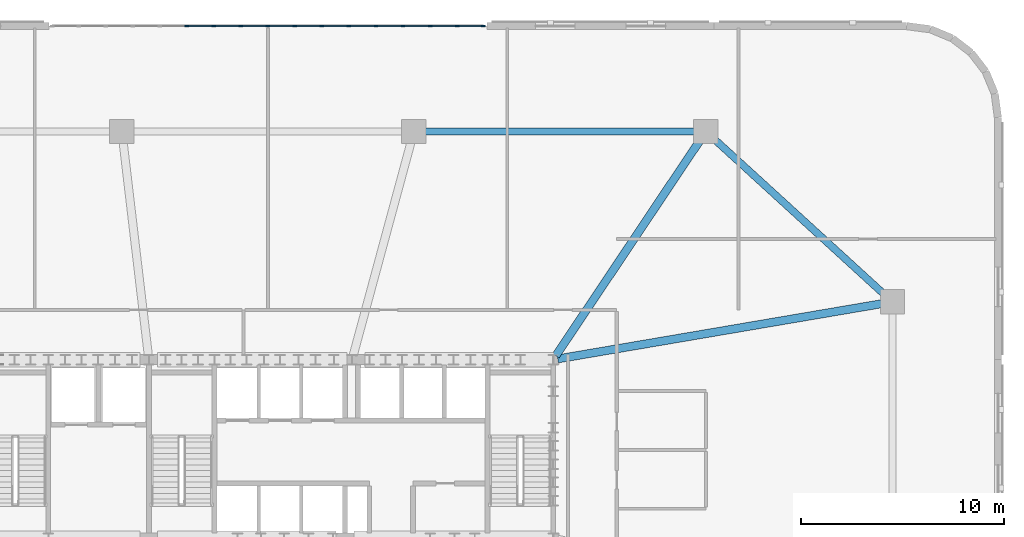
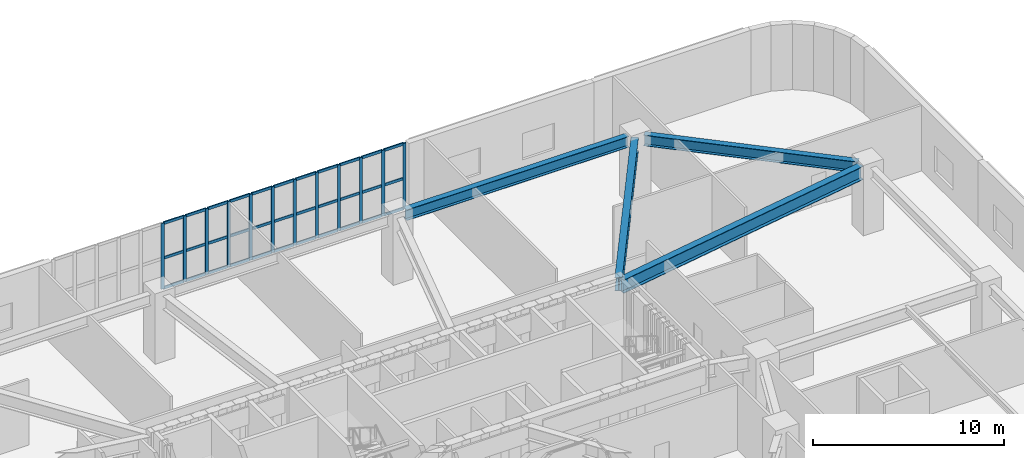
# One storey, part 10 of 25: 45 members, 4 beams, 1 element without a shape of its own.
"""IFC4 building model written with IfcOpenShell, lengths in metres."""

import ifcopenshell
import ifcopenshell.guid

model = None  # the IFC model being written
_history = None  # IfcOwnerHistory: only IFC2X3 demands one
_inside = {}  # id of a spatial element -> (the spatial element, [elements in it])
_under = {}  # id of a project, library or spatial element -> (it, [spatial elements below it])
_declared = {}  # id of a project -> (the project, [libraries it declares])
_typed = {}  # id of a type object -> (the type object, [elements of that type])
_made_of = {}  # id of a material, layer set ... -> (it, [elements and type objects made of it])


def new_model(schema):
    """Start an empty IFC model of exactly this schema.

    Asked for "IFC4X3", IfcOpenShell would pick the latest addendum, in which some entities
    have other attributes; the version numbers below select the first issue.
    IFC2X3 requires an IfcOwnerHistory on every rooted entity: one is made here for all.
    """
    global model, _history
    if schema == "IFC4X3":
        model = ifcopenshell.file(schema_version=(4, 3, 0, 0))
    else:
        model = ifcopenshell.file(schema=schema)
    _inside.clear()
    _under.clear()
    _declared.clear()
    _typed.clear()
    _made_of.clear()
    _history = None
    if model.schema == "IFC2X3":
        org = make("IfcOrganization", Name="unknown")
        user = make(
            "IfcPersonAndOrganization",
            ThePerson=make("IfcPerson", FamilyName="unknown"),
            TheOrganization=org,
        )
        app = make(
            "IfcApplication",
            ApplicationDeveloper=org,
            Version="unknown",
            ApplicationFullName="unknown",
            ApplicationIdentifier="unknown",
        )
        _history = make(
            "IfcOwnerHistory",
            OwningUser=user,
            OwningApplication=app,
            ChangeAction="ADDED",
            CreationDate=0,
        )
    return model


def make(cls, **values):
    """One entity of the class cls with the attributes given. An attribute that is None is left unset."""
    return model.create_entity(
        cls, **{name: value for name, value in values.items() if value is not None}
    )


def rooted(cls, **values):
    """An entity with a GlobalId (a new one), such as an element, a storey or a relation."""
    return make(cls, GlobalId=ifcopenshell.guid.new(), OwnerHistory=_history, **values)


def si_unit(unit_type, name, prefix=None):
    """IfcSIUnit, for example si_unit("LENGTHUNIT", "METRE", prefix="MILLI")."""
    return make("IfcSIUnit", UnitType=unit_type, Prefix=prefix, Name=name)


def assignment(units):
    """IfcUnitAssignment: the units of a project."""
    return None if units is None else make("IfcUnitAssignment", Units=units)


def point(xyz):
    """IfcCartesianPoint."""
    return None if xyz is None else make("IfcCartesianPoint", Coordinates=xyz)


def direction(xyz):
    """IfcDirection."""
    return None if xyz is None else make("IfcDirection", DirectionRatios=xyz)


def frame(location, z_axis=None, x_axis=None):
    """IfcAxis2Placement3D, a coordinate frame: its origin and axes. An axis left out is left unset."""
    return make(
        "IfcAxis2Placement3D",
        Location=point(location),
        Axis=direction(z_axis),
        RefDirection=direction(x_axis),
    )


def frame_2d(location, x_axis=None):
    """IfcAxis2Placement2D, a coordinate frame in the plane: its origin and x axis."""
    return make(
        "IfcAxis2Placement2D", Location=point(location), RefDirection=direction(x_axis)
    )


def origin():
    """The frame at (0, 0, 0) with its axes left unset."""
    return frame((0.0, 0.0, 0.0))


def origin_2d():
    """The frame at (0, 0) in the plane with its x axis left unset."""
    return frame_2d((0.0, 0.0))


def place(relative_to, where):
    """IfcLocalPlacement: puts the frame where relative to a parent placement (None: the world)."""
    return make(
        "IfcLocalPlacement", PlacementRelTo=relative_to, RelativePlacement=where
    )


def context(
    kind, dimensions, precision=None, world=None, true_north=None, identifier=None
):
    """IfcGeometricRepresentationContext, for example the 3D "Model" context."""
    return make(
        "IfcGeometricRepresentationContext",
        ContextIdentifier=identifier,
        ContextType=kind,
        CoordinateSpaceDimension=dimensions,
        Precision=precision,
        WorldCoordinateSystem=world,
        TrueNorth=true_north,
    )


def subcontext(parent, identifier, kind, view, scale=None):
    """IfcGeometricRepresentationSubContext, for example "Body" below "Model"."""
    return make(
        "IfcGeometricRepresentationSubContext",
        ContextIdentifier=identifier,
        ContextType=kind,
        ParentContext=parent,
        TargetScale=scale,
        TargetView=view,
    )


def project(units=None, contexts=None):
    """IfcProject with its units and contexts."""
    return rooted(
        "IfcProject",
        Name="project",
        RepresentationContexts=contexts,
        UnitsInContext=assignment(units),
    )


def spatial(cls, under=None, at=None, **own):
    """A site, building, storey or space (cls), placed at a placement, below another one or the project."""
    s = rooted(cls, ObjectPlacement=at, **own)
    if under is not None:
        _under.setdefault(under.id(), (under, []))[1].append(s)
    return s


def profile(cls, at=None, kind="AREA", **sizes):
    """A parametric profile (cls). Its sizes go by their IFC names, for example OverallWidth=200.0."""
    return make(cls, ProfileType=kind, Position=at, **sizes)


def rectangle(**sizes):
    """IfcRectangleProfileDef."""
    return profile("IfcRectangleProfileDef", **sizes)


def i_section(**sizes):
    """IfcIShapeProfileDef."""
    return profile("IfcIShapeProfileDef", **sizes)


def extrude(swept, where, along, depth):
    """IfcExtrudedAreaSolid: the profile swept, set in the frame where, extruded along a direction by depth."""
    return make(
        "IfcExtrudedAreaSolid",
        SweptArea=swept,
        Position=where,
        ExtrudedDirection=direction(along),
        Depth=depth,
    )


def shape(context_of_items, identifier, shape_type, items):
    """IfcShapeRepresentation: the items that make up one representation, for example the "Body"."""
    return make(
        "IfcShapeRepresentation",
        ContextOfItems=context_of_items,
        RepresentationIdentifier=identifier,
        RepresentationType=shape_type,
        Items=items,
    )


def material(Name=None, Category=None):
    """IfcMaterial."""
    return make("IfcMaterial", Name=Name, Category=Category)


def material_profile(
    of_material, cross_section, Name=None, Category=None, Priority=None
):
    """IfcMaterialProfile: a cross section and its material."""
    return make(
        "IfcMaterialProfile",
        Name=Name,
        Material=of_material,
        Profile=cross_section,
        Priority=Priority,
        Category=Category,
    )


def profile_set(profiles, Name=None, composite=None):
    """IfcMaterialProfileSet."""
    return make(
        "IfcMaterialProfileSet",
        Name=Name,
        MaterialProfiles=profiles,
        CompositeProfile=composite,
    )


def made_of(thing, what):
    """Note that an element or type object is made of a material, layer set ...; save() writes the relation."""
    if what is not None:
        _made_of.setdefault(what.id(), (what, []))[1].append(thing)
    return thing


def type_object(cls, material=None, **own):
    """A type object (cls), such as IfcWallType, which elements share."""
    return made_of(rooted(cls, **own), material)


def element(
    cls,
    number,
    at=None,
    inside=None,
    cuts=None,
    type_object=None,
    material=None,
    context=None,
    identifier="Body",
    shape_type=None,
    held_by="IfcProductDefinitionShape",
    body=None,
    shapes=None,
    **own,
):
    """One element of the class cls, such as IfcWall. Its Tag is "e" and its number.

    at: its placement. inside: the storey or other place that contains it. cuts: it is an
    opening in that element (IfcRelVoidsElement). A single representation is given by context,
    identifier, shape_type and body (its items); several are given by shapes. held_by: the class
    of the entity that holds the representations. save() writes the other relations.
    """
    e = rooted(cls, Tag="e%d" % number, ObjectPlacement=at, **own)
    if body is not None:
        shapes = [shape(context, identifier, shape_type, body)]
    if shapes is not None:
        e.Representation = make(held_by, Representations=shapes)
    if inside is not None:
        _inside.setdefault(inside.id(), (inside, []))[1].append(e)
    if cuts is not None:
        rooted(
            "IfcRelVoidsElement", RelatingBuildingElement=cuts, RelatedOpeningElement=e
        )
    if type_object is not None:
        _typed.setdefault(type_object.id(), (type_object, []))[1].append(e)
    return made_of(e, material)


def aggregate(whole, parts):
    """IfcRelAggregates: a whole, such as a stair, and the parts it consists of."""
    return rooted("IfcRelAggregates", RelatingObject=whole, RelatedObjects=parts)


def save(model, path):
    """Write the relations noted so far, then the file.

    IfcRelAggregates (storeys below a building ...), IfcRelContainedInSpatialStructure (elements
    in a storey), IfcRelDefinesByType, IfcRelAssociatesMaterial and IfcRelDeclares: one each for
    every whole, place, type object, material and project.
    """
    for whole, parts in _under.values():
        aggregate(whole, parts)
    for where, things in _inside.values():
        rooted(
            "IfcRelContainedInSpatialStructure",
            RelatedElements=things,
            RelatingStructure=where,
        )
    for kind, things in _typed.values():
        rooted("IfcRelDefinesByType", RelatedObjects=things, RelatingType=kind)
    for what, things in _made_of.values():
        rooted("IfcRelAssociatesMaterial", RelatedObjects=things, RelatingMaterial=what)
    for by, libraries in _declared.values():
        rooted("IfcRelDeclares", RelatingContext=by, RelatedDefinitions=libraries)
    model.write(path)


model = new_model("IFC4")

# Units and contexts
model_context = context("Model", 3, precision=1e-05, world=origin(), true_north=direction((0.0, 1.0)))
body_context = subcontext(model_context, "Body", "Model", "MODEL_VIEW")
ifc_project = project(units=[si_unit("LENGTHUNIT", "METRE"), si_unit("AREAUNIT", "SQUARE_METRE"), si_unit("VOLUMEUNIT", "CUBIC_METRE"), si_unit("PLANEANGLEUNIT", "RADIAN"), si_unit("MASSUNIT", "GRAM", prefix="KILO")], contexts=[model_context])

# Site, building, storey
site_placement = place(None, origin())
site = spatial("IfcSite", under=ifc_project, at=site_placement, CompositionType="ELEMENT")
building_placement = place(site_placement, origin())
building = spatial("IfcBuilding", under=site, at=building_placement, Name="Haldorwick Loom Tower", CompositionType="ELEMENT")
storey_placement = place(building_placement, frame((0.0, 0.0, 10.5)))
storey = spatial("IfcBuildingStorey", under=building, at=storey_placement, Name="L02", CompositionType="ELEMENT", Elevation=10.5)

# Curtain wall, members
ifc_material_1 = material(Name="Thermally Broken Anodized Aluminium Curtain Wall Framing", Category="aluminium")
curtain_wall_type = type_object("IfcCurtainWallType", Name="ARC-CW-02", PredefinedType="NOTDEFINED", material=ifc_material_1)
curtain_wall_placement = place(storey_placement, origin())
curtain_wall = element("IfcCurtainWall", 1, at=curtain_wall_placement, inside=storey, type_object=curtain_wall_type, Name="L02 Facade Curtain Wall CW-02 Bay 19", PredefinedType="NOTDEFINED")
ifc_material_profile_1 = material_profile(ifc_material_1, rectangle(XDim=0.070068359375, YDim=0.195068359375, at=origin_2d()), Name="ALU_MUL_70X195", Category="aluminium")
ifc_profile_set_1 = profile_set([ifc_material_profile_1], Name="Thermally Broken Anodized Aluminium Curtain Wall Framing")
member_type_1 = type_object("IfcMemberType", Name="ARC-CWM-02", PredefinedType="MULLION", material=ifc_profile_set_1)
member_1_placement = place(storey_placement, frame((46.625, 52.0, 0.0), z_axis=(0.0, 0.0, 1.0), x_axis=(0.0, -1.0, 0.0)))
member_1 = element("IfcMember", 2, at=member_1_placement, type_object=member_type_1, Name="CW-02 mullion 1", PredefinedType="MULLION", context=body_context, shape_type="SweptSolid", body=[
    extrude(rectangle(XDim=0.070068359375, YDim=0.195068359375, at=origin_2d()), origin(), (0.0, 0.0, 1.0), 4.199951171875),
])
member_2_placement = place(storey_placement, frame((45.327392578125, 52.0, 0.0), z_axis=(0.0, 0.0, 1.0), x_axis=(0.0, -1.0, 0.0)))
member_2 = element("IfcMember", 3, at=member_2_placement, type_object=member_type_1, Name="CW-02 mullion 2", PredefinedType="MULLION", context=body_context, shape_type="SweptSolid", body=[
    extrude(rectangle(XDim=0.070068359375, YDim=0.195068359375, at=origin_2d()), origin(), (0.0, 0.0, 1.0), 4.199951171875),
])
member_3_placement = place(storey_placement, frame((43.9951171875, 52.0, 0.0), z_axis=(0.0, 0.0, 1.0), x_axis=(0.0, -1.0, 0.0)))
member_3 = element("IfcMember", 4, at=member_3_placement, type_object=member_type_1, Name="CW-02 mullion 3", PredefinedType="MULLION", context=body_context, shape_type="SweptSolid", body=[
    extrude(rectangle(XDim=0.070068359375, YDim=0.195068359375, at=origin_2d()), origin(), (0.0, 0.0, 1.0), 4.199951171875),
])
member_4_placement = place(storey_placement, frame((42.66259765625, 52.0, 0.0), z_axis=(0.0, 0.0, 1.0), x_axis=(0.0, -1.0, 0.0)))
member_4 = element("IfcMember", 5, at=member_4_placement, type_object=member_type_1, Name="CW-02 mullion 4", PredefinedType="MULLION", context=body_context, shape_type="SweptSolid", body=[
    extrude(rectangle(XDim=0.070068359375, YDim=0.195068359375, at=origin_2d()), origin(), (0.0, 0.0, 1.0), 4.199951171875),
])
member_5_placement = place(storey_placement, frame((41.330078125, 52.0, 0.0), z_axis=(0.0, 0.0, 1.0), x_axis=(0.0, -1.0, 0.0)))
member_5 = element("IfcMember", 6, at=member_5_placement, type_object=member_type_1, Name="CW-02 mullion 5", PredefinedType="MULLION", context=body_context, shape_type="SweptSolid", body=[
    extrude(rectangle(XDim=0.070068359375, YDim=0.195068359375, at=origin_2d()), origin(), (0.0, 0.0, 1.0), 4.199951171875),
])
member_6_placement = place(storey_placement, frame((39.99755859375, 52.0, 0.0), z_axis=(0.0, 0.0, 1.0), x_axis=(0.0, -1.0, 0.0)))
member_6 = element("IfcMember", 7, at=member_6_placement, type_object=member_type_1, Name="CW-02 mullion 6", PredefinedType="MULLION", context=body_context, shape_type="SweptSolid", body=[
    extrude(rectangle(XDim=0.070068359375, YDim=0.195068359375, at=origin_2d()), origin(), (0.0, 0.0, 1.0), 4.199951171875),
])
member_7_placement = place(storey_placement, frame((38.6650390625, 52.0, 0.0), z_axis=(0.0, 0.0, 1.0), x_axis=(0.0, -1.0, 0.0)))
member_7 = element("IfcMember", 8, at=member_7_placement, type_object=member_type_1, Name="CW-02 mullion 7", PredefinedType="MULLION", context=body_context, shape_type="SweptSolid", body=[
    extrude(rectangle(XDim=0.070068359375, YDim=0.195068359375, at=origin_2d()), origin(), (0.0, 0.0, 1.0), 4.199951171875),
])
member_8_placement = place(storey_placement, frame((37.33251953125, 52.0, 0.0), z_axis=(0.0, 0.0, 1.0), x_axis=(0.0, -1.0, 0.0)))
member_8 = element("IfcMember", 9, at=member_8_placement, type_object=member_type_1, Name="CW-02 mullion 8", PredefinedType="MULLION", context=body_context, shape_type="SweptSolid", body=[
    extrude(rectangle(XDim=0.070068359375, YDim=0.195068359375, at=origin_2d()), origin(), (0.0, 0.0, 1.0), 4.199951171875),
])
member_9_placement = place(storey_placement, frame((36.0, 52.0, 0.0), z_axis=(0.0, 0.0, 1.0), x_axis=(0.0, -1.0, 0.0)))
member_9 = element("IfcMember", 10, at=member_9_placement, type_object=member_type_1, Name="CW-02 mullion 9", PredefinedType="MULLION", context=body_context, shape_type="SweptSolid", body=[
    extrude(rectangle(XDim=0.070068359375, YDim=0.195068359375, at=origin_2d()), origin(), (0.0, 0.0, 1.0), 4.199951171875),
])
member_10_placement = place(storey_placement, frame((34.66748046875, 52.0, 0.0), z_axis=(0.0, 0.0, 1.0), x_axis=(0.0, -1.0, 0.0)))
member_10 = element("IfcMember", 11, at=member_10_placement, type_object=member_type_1, Name="CW-02 mullion 10", PredefinedType="MULLION", context=body_context, shape_type="SweptSolid", body=[
    extrude(rectangle(XDim=0.070068359375, YDim=0.195068359375, at=origin_2d()), origin(), (0.0, 0.0, 1.0), 4.199951171875),
])
member_11_placement = place(storey_placement, frame((33.3349609375, 52.0, 0.0), z_axis=(0.0, 0.0, 1.0), x_axis=(0.0, -1.0, 0.0)))
member_11 = element("IfcMember", 12, at=member_11_placement, type_object=member_type_1, Name="CW-02 mullion 11", PredefinedType="MULLION", context=body_context, shape_type="SweptSolid", body=[
    extrude(rectangle(XDim=0.070068359375, YDim=0.195068359375, at=origin_2d()), origin(), (0.0, 0.0, 1.0), 4.199951171875),
])
member_12_placement = place(storey_placement, frame((32.00244140625, 52.0, 0.0), z_axis=(0.0, 0.0, 1.0), x_axis=(0.0, -1.0, 0.0)))
member_12 = element("IfcMember", 13, at=member_12_placement, type_object=member_type_1, Name="CW-02 mullion 12", PredefinedType="MULLION", context=body_context, shape_type="SweptSolid", body=[
    extrude(rectangle(XDim=0.070068359375, YDim=0.195068359375, at=origin_2d()), origin(), (0.0, 0.0, 1.0), 4.199951171875),
])
ifc_material_profile_2 = material_profile(ifc_material_1, rectangle(XDim=0.070068359375, YDim=0.175048828125, at=origin_2d()), Name="ALU_TRN_70X175", Category="aluminium")
ifc_profile_set_2 = profile_set([ifc_material_profile_2], Name="Thermally Broken Anodized Aluminium Curtain Wall Framing")
member_type_2 = type_object("IfcMemberType", Name="ARC-CWT-02", PredefinedType="USERDEFINED", material=ifc_profile_set_2)
member_13_placement = place(storey_placement, frame((46.590087890625, 52.0, 0.034912109375), z_axis=(-1.0, 0.0, 0.0), x_axis=(0.0, -1.0, 0.0)))
member_13 = element("IfcMember", 14, at=member_13_placement, type_object=member_type_2, Name="CW-02 transom 1.1", ObjectType="TRANSOM", PredefinedType="USERDEFINED", context=body_context, shape_type="SweptSolid", body=[
    extrude(rectangle(XDim=0.070068359375, YDim=0.175048828125, at=origin_2d()), origin(), (0.0, 0.0, 1.0), 1.2275390625),
])
member_14_placement = place(storey_placement, frame((46.590087890625, 52.0, 1.949951171875), z_axis=(-1.0, 0.0, 0.0), x_axis=(0.0, -1.0, 0.0)))
member_14 = element("IfcMember", 15, at=member_14_placement, type_object=member_type_2, Name="CW-02 transom 1.2", ObjectType="TRANSOM", PredefinedType="USERDEFINED", context=body_context, shape_type="SweptSolid", body=[
    extrude(rectangle(XDim=0.070068359375, YDim=0.175048828125, at=origin_2d()), origin(), (0.0, 0.0, 1.0), 1.2275390625),
])
member_15_placement = place(storey_placement, frame((46.590087890625, 52.0, 4.1650390625), z_axis=(-1.0, 0.0, 0.0), x_axis=(0.0, -1.0, 0.0)))
member_15 = element("IfcMember", 16, at=member_15_placement, type_object=member_type_2, Name="CW-02 transom 1.3", ObjectType="TRANSOM", PredefinedType="USERDEFINED", context=body_context, shape_type="SweptSolid", body=[
    extrude(rectangle(XDim=0.070068359375, YDim=0.175048828125, at=origin_2d()), origin(), (0.0, 0.0, 1.0), 1.2275390625),
])
member_16_placement = place(storey_placement, frame((45.29248046875, 52.0, 0.034912109375), z_axis=(-1.0, 0.0, 0.0), x_axis=(0.0, -1.0, 0.0)))
member_16 = element("IfcMember", 17, at=member_16_placement, type_object=member_type_2, Name="CW-02 transom 2.1", ObjectType="TRANSOM", PredefinedType="USERDEFINED", context=body_context, shape_type="SweptSolid", body=[
    extrude(rectangle(XDim=0.070068359375, YDim=0.175048828125, at=origin_2d()), origin(), (0.0, 0.0, 1.0), 1.262451171875),
])
member_17_placement = place(storey_placement, frame((45.29248046875, 52.0, 1.949951171875), z_axis=(-1.0, 0.0, 0.0), x_axis=(0.0, -1.0, 0.0)))
member_17 = element("IfcMember", 18, at=member_17_placement, type_object=member_type_2, Name="CW-02 transom 2.2", ObjectType="TRANSOM", PredefinedType="USERDEFINED", context=body_context, shape_type="SweptSolid", body=[
    extrude(rectangle(XDim=0.070068359375, YDim=0.175048828125, at=origin_2d()), origin(), (0.0, 0.0, 1.0), 1.262451171875),
])
member_18_placement = place(storey_placement, frame((45.29248046875, 52.0, 4.1650390625), z_axis=(-1.0, 0.0, 0.0), x_axis=(0.0, -1.0, 0.0)))
member_18 = element("IfcMember", 19, at=member_18_placement, type_object=member_type_2, Name="CW-02 transom 2.3", ObjectType="TRANSOM", PredefinedType="USERDEFINED", context=body_context, shape_type="SweptSolid", body=[
    extrude(rectangle(XDim=0.070068359375, YDim=0.175048828125, at=origin_2d()), origin(), (0.0, 0.0, 1.0), 1.262451171875),
])
member_19_placement = place(storey_placement, frame((43.9599609375, 52.0, 0.034912109375), z_axis=(-1.0, 0.0, 0.0), x_axis=(0.0, -1.0, 0.0)))
member_19 = element("IfcMember", 20, at=member_19_placement, type_object=member_type_2, Name="CW-02 transom 3.1", ObjectType="TRANSOM", PredefinedType="USERDEFINED", context=body_context, shape_type="SweptSolid", body=[
    extrude(rectangle(XDim=0.070068359375, YDim=0.175048828125, at=origin_2d()), origin(), (0.0, 0.0, 1.0), 1.262451171875),
])
member_20_placement = place(storey_placement, frame((43.9599609375, 52.0, 1.949951171875), z_axis=(-1.0, 0.0, 0.0), x_axis=(0.0, -1.0, 0.0)))
member_20 = element("IfcMember", 21, at=member_20_placement, type_object=member_type_2, Name="CW-02 transom 3.2", ObjectType="TRANSOM", PredefinedType="USERDEFINED", context=body_context, shape_type="SweptSolid", body=[
    extrude(rectangle(XDim=0.070068359375, YDim=0.175048828125, at=origin_2d()), origin(), (0.0, 0.0, 1.0), 1.262451171875),
])
member_21_placement = place(storey_placement, frame((43.9599609375, 52.0, 4.1650390625), z_axis=(-1.0, 0.0, 0.0), x_axis=(0.0, -1.0, 0.0)))
member_21 = element("IfcMember", 22, at=member_21_placement, type_object=member_type_2, Name="CW-02 transom 3.3", ObjectType="TRANSOM", PredefinedType="USERDEFINED", context=body_context, shape_type="SweptSolid", body=[
    extrude(rectangle(XDim=0.070068359375, YDim=0.175048828125, at=origin_2d()), origin(), (0.0, 0.0, 1.0), 1.262451171875),
])
member_22_placement = place(storey_placement, frame((42.62744140625, 52.0, 0.034912109375), z_axis=(-1.0, 0.0, 0.0), x_axis=(0.0, -1.0, 0.0)))
member_22 = element("IfcMember", 23, at=member_22_placement, type_object=member_type_2, Name="CW-02 transom 4.1", ObjectType="TRANSOM", PredefinedType="USERDEFINED", context=body_context, shape_type="SweptSolid", body=[
    extrude(rectangle(XDim=0.070068359375, YDim=0.175048828125, at=origin_2d()), origin(), (0.0, 0.0, 1.0), 1.262451171875),
])
member_23_placement = place(storey_placement, frame((42.62744140625, 52.0, 1.949951171875), z_axis=(-1.0, 0.0, 0.0), x_axis=(0.0, -1.0, 0.0)))
member_23 = element("IfcMember", 24, at=member_23_placement, type_object=member_type_2, Name="CW-02 transom 4.2", ObjectType="TRANSOM", PredefinedType="USERDEFINED", context=body_context, shape_type="SweptSolid", body=[
    extrude(rectangle(XDim=0.070068359375, YDim=0.175048828125, at=origin_2d()), origin(), (0.0, 0.0, 1.0), 1.262451171875),
])
member_24_placement = place(storey_placement, frame((42.62744140625, 52.0, 4.1650390625), z_axis=(-1.0, 0.0, 0.0), x_axis=(0.0, -1.0, 0.0)))
member_24 = element("IfcMember", 25, at=member_24_placement, type_object=member_type_2, Name="CW-02 transom 4.3", ObjectType="TRANSOM", PredefinedType="USERDEFINED", context=body_context, shape_type="SweptSolid", body=[
    extrude(rectangle(XDim=0.070068359375, YDim=0.175048828125, at=origin_2d()), origin(), (0.0, 0.0, 1.0), 1.262451171875),
])
member_25_placement = place(storey_placement, frame((41.294921875, 52.0, 0.034912109375), z_axis=(-1.0, 0.0, 0.0), x_axis=(0.0, -1.0, 0.0)))
member_25 = element("IfcMember", 26, at=member_25_placement, type_object=member_type_2, Name="CW-02 transom 5.1", ObjectType="TRANSOM", PredefinedType="USERDEFINED", context=body_context, shape_type="SweptSolid", body=[
    extrude(rectangle(XDim=0.070068359375, YDim=0.175048828125, at=origin_2d()), origin(), (0.0, 0.0, 1.0), 1.262451171875),
])
member_26_placement = place(storey_placement, frame((41.294921875, 52.0, 1.949951171875), z_axis=(-1.0, 0.0, 0.0), x_axis=(0.0, -1.0, 0.0)))
member_26 = element("IfcMember", 27, at=member_26_placement, type_object=member_type_2, Name="CW-02 transom 5.2", ObjectType="TRANSOM", PredefinedType="USERDEFINED", context=body_context, shape_type="SweptSolid", body=[
    extrude(rectangle(XDim=0.070068359375, YDim=0.175048828125, at=origin_2d()), origin(), (0.0, 0.0, 1.0), 1.262451171875),
])
member_27_placement = place(storey_placement, frame((41.294921875, 52.0, 4.1650390625), z_axis=(-1.0, 0.0, 0.0), x_axis=(0.0, -1.0, 0.0)))
member_27 = element("IfcMember", 28, at=member_27_placement, type_object=member_type_2, Name="CW-02 transom 5.3", ObjectType="TRANSOM", PredefinedType="USERDEFINED", context=body_context, shape_type="SweptSolid", body=[
    extrude(rectangle(XDim=0.070068359375, YDim=0.175048828125, at=origin_2d()), origin(), (0.0, 0.0, 1.0), 1.262451171875),
])
member_28_placement = place(storey_placement, frame((39.96240234375, 52.0, 0.034912109375), z_axis=(-1.0, 0.0, 0.0), x_axis=(0.0, -1.0, 0.0)))
member_28 = element("IfcMember", 29, at=member_28_placement, type_object=member_type_2, Name="CW-02 transom 6.1", ObjectType="TRANSOM", PredefinedType="USERDEFINED", context=body_context, shape_type="SweptSolid", body=[
    extrude(rectangle(XDim=0.070068359375, YDim=0.175048828125, at=origin_2d()), origin(), (0.0, 0.0, 1.0), 1.262451171875),
])
member_29_placement = place(storey_placement, frame((39.96240234375, 52.0, 1.949951171875), z_axis=(-1.0, 0.0, 0.0), x_axis=(0.0, -1.0, 0.0)))
member_29 = element("IfcMember", 30, at=member_29_placement, type_object=member_type_2, Name="CW-02 transom 6.2", ObjectType="TRANSOM", PredefinedType="USERDEFINED", context=body_context, shape_type="SweptSolid", body=[
    extrude(rectangle(XDim=0.070068359375, YDim=0.175048828125, at=origin_2d()), origin(), (0.0, 0.0, 1.0), 1.262451171875),
])
member_30_placement = place(storey_placement, frame((39.96240234375, 52.0, 4.1650390625), z_axis=(-1.0, 0.0, 0.0), x_axis=(0.0, -1.0, 0.0)))
member_30 = element("IfcMember", 31, at=member_30_placement, type_object=member_type_2, Name="CW-02 transom 6.3", ObjectType="TRANSOM", PredefinedType="USERDEFINED", context=body_context, shape_type="SweptSolid", body=[
    extrude(rectangle(XDim=0.070068359375, YDim=0.175048828125, at=origin_2d()), origin(), (0.0, 0.0, 1.0), 1.262451171875),
])
member_31_placement = place(storey_placement, frame((38.6298828125, 52.0, 0.034912109375), z_axis=(-1.0, 0.0, 0.0), x_axis=(0.0, -1.0, 0.0)))
member_31 = element("IfcMember", 32, at=member_31_placement, type_object=member_type_2, Name="CW-02 transom 7.1", ObjectType="TRANSOM", PredefinedType="USERDEFINED", context=body_context, shape_type="SweptSolid", body=[
    extrude(rectangle(XDim=0.070068359375, YDim=0.175048828125, at=origin_2d()), origin(), (0.0, 0.0, 1.0), 1.262451171875),
])
member_32_placement = place(storey_placement, frame((38.6298828125, 52.0, 1.949951171875), z_axis=(-1.0, 0.0, 0.0), x_axis=(0.0, -1.0, 0.0)))
member_32 = element("IfcMember", 33, at=member_32_placement, type_object=member_type_2, Name="CW-02 transom 7.2", ObjectType="TRANSOM", PredefinedType="USERDEFINED", context=body_context, shape_type="SweptSolid", body=[
    extrude(rectangle(XDim=0.070068359375, YDim=0.175048828125, at=origin_2d()), origin(), (0.0, 0.0, 1.0), 1.262451171875),
])
member_33_placement = place(storey_placement, frame((38.6298828125, 52.0, 4.1650390625), z_axis=(-1.0, 0.0, 0.0), x_axis=(0.0, -1.0, 0.0)))
member_33 = element("IfcMember", 34, at=member_33_placement, type_object=member_type_2, Name="CW-02 transom 7.3", ObjectType="TRANSOM", PredefinedType="USERDEFINED", context=body_context, shape_type="SweptSolid", body=[
    extrude(rectangle(XDim=0.070068359375, YDim=0.175048828125, at=origin_2d()), origin(), (0.0, 0.0, 1.0), 1.262451171875),
])
member_34_placement = place(storey_placement, frame((37.297607421875, 52.0, 0.034912109375), z_axis=(-1.0, 0.0, 0.0), x_axis=(0.0, -1.0, 0.0)))
member_34 = element("IfcMember", 35, at=member_34_placement, type_object=member_type_2, Name="CW-02 transom 8.1", ObjectType="TRANSOM", PredefinedType="USERDEFINED", context=body_context, shape_type="SweptSolid", body=[
    extrude(rectangle(XDim=0.070068359375, YDim=0.175048828125, at=origin_2d()), origin(), (0.0, 0.0, 1.0), 1.2626953125),
])
member_35_placement = place(storey_placement, frame((37.297607421875, 52.0, 1.949951171875), z_axis=(-1.0, 0.0, 0.0), x_axis=(0.0, -1.0, 0.0)))
member_35 = element("IfcMember", 36, at=member_35_placement, type_object=member_type_2, Name="CW-02 transom 8.2", ObjectType="TRANSOM", PredefinedType="USERDEFINED", context=body_context, shape_type="SweptSolid", body=[
    extrude(rectangle(XDim=0.070068359375, YDim=0.175048828125, at=origin_2d()), origin(), (0.0, 0.0, 1.0), 1.2626953125),
])
member_36_placement = place(storey_placement, frame((37.297607421875, 52.0, 4.1650390625), z_axis=(-1.0, 0.0, 0.0), x_axis=(0.0, -1.0, 0.0)))
member_36 = element("IfcMember", 37, at=member_36_placement, type_object=member_type_2, Name="CW-02 transom 8.3", ObjectType="TRANSOM", PredefinedType="USERDEFINED", context=body_context, shape_type="SweptSolid", body=[
    extrude(rectangle(XDim=0.070068359375, YDim=0.175048828125, at=origin_2d()), origin(), (0.0, 0.0, 1.0), 1.2626953125),
])
member_37_placement = place(storey_placement, frame((35.965087890625, 52.0, 0.034912109375), z_axis=(-1.0, 0.0, 0.0), x_axis=(0.0, -1.0, 0.0)))
member_37 = element("IfcMember", 38, at=member_37_placement, type_object=member_type_2, Name="CW-02 transom 9.1", ObjectType="TRANSOM", PredefinedType="USERDEFINED", context=body_context, shape_type="SweptSolid", body=[
    extrude(rectangle(XDim=0.070068359375, YDim=0.175048828125, at=origin_2d()), origin(), (0.0, 0.0, 1.0), 1.2626953125),
])
member_38_placement = place(storey_placement, frame((35.965087890625, 52.0, 1.949951171875), z_axis=(-1.0, 0.0, 0.0), x_axis=(0.0, -1.0, 0.0)))
member_38 = element("IfcMember", 39, at=member_38_placement, type_object=member_type_2, Name="CW-02 transom 9.2", ObjectType="TRANSOM", PredefinedType="USERDEFINED", context=body_context, shape_type="SweptSolid", body=[
    extrude(rectangle(XDim=0.070068359375, YDim=0.175048828125, at=origin_2d()), origin(), (0.0, 0.0, 1.0), 1.2626953125),
])
member_39_placement = place(storey_placement, frame((35.965087890625, 52.0, 4.1650390625), z_axis=(-1.0, 0.0, 0.0), x_axis=(0.0, -1.0, 0.0)))
member_39 = element("IfcMember", 40, at=member_39_placement, type_object=member_type_2, Name="CW-02 transom 9.3", ObjectType="TRANSOM", PredefinedType="USERDEFINED", context=body_context, shape_type="SweptSolid", body=[
    extrude(rectangle(XDim=0.070068359375, YDim=0.175048828125, at=origin_2d()), origin(), (0.0, 0.0, 1.0), 1.2626953125),
])
member_40_placement = place(storey_placement, frame((34.632568359375, 52.0, 0.034912109375), z_axis=(-1.0, 0.0, 0.0), x_axis=(0.0, -1.0, 0.0)))
member_40 = element("IfcMember", 41, at=member_40_placement, type_object=member_type_2, Name="CW-02 transom 10.1", ObjectType="TRANSOM", PredefinedType="USERDEFINED", context=body_context, shape_type="SweptSolid", body=[
    extrude(rectangle(XDim=0.070068359375, YDim=0.175048828125, at=origin_2d()), origin(), (0.0, 0.0, 1.0), 1.262451171875),
])
member_41_placement = place(storey_placement, frame((34.632568359375, 52.0, 1.949951171875), z_axis=(-1.0, 0.0, 0.0), x_axis=(0.0, -1.0, 0.0)))
member_41 = element("IfcMember", 42, at=member_41_placement, type_object=member_type_2, Name="CW-02 transom 10.2", ObjectType="TRANSOM", PredefinedType="USERDEFINED", context=body_context, shape_type="SweptSolid", body=[
    extrude(rectangle(XDim=0.070068359375, YDim=0.175048828125, at=origin_2d()), origin(), (0.0, 0.0, 1.0), 1.262451171875),
])
member_42_placement = place(storey_placement, frame((34.632568359375, 52.0, 4.1650390625), z_axis=(-1.0, 0.0, 0.0), x_axis=(0.0, -1.0, 0.0)))
member_42 = element("IfcMember", 43, at=member_42_placement, type_object=member_type_2, Name="CW-02 transom 10.3", ObjectType="TRANSOM", PredefinedType="USERDEFINED", context=body_context, shape_type="SweptSolid", body=[
    extrude(rectangle(XDim=0.070068359375, YDim=0.175048828125, at=origin_2d()), origin(), (0.0, 0.0, 1.0), 1.262451171875),
])
member_43_placement = place(storey_placement, frame((33.300048828125, 52.0, 0.034912109375), z_axis=(-1.0, 0.0, 0.0), x_axis=(0.0, -1.0, 0.0)))
member_43 = element("IfcMember", 44, at=member_43_placement, type_object=member_type_2, Name="CW-02 transom 11.1", ObjectType="TRANSOM", PredefinedType="USERDEFINED", context=body_context, shape_type="SweptSolid", body=[
    extrude(rectangle(XDim=0.070068359375, YDim=0.175048828125, at=origin_2d()), origin(), (0.0, 0.0, 1.0), 1.262451171875),
])
member_44_placement = place(storey_placement, frame((33.300048828125, 52.0, 1.949951171875), z_axis=(-1.0, 0.0, 0.0), x_axis=(0.0, -1.0, 0.0)))
member_44 = element("IfcMember", 45, at=member_44_placement, type_object=member_type_2, Name="CW-02 transom 11.2", ObjectType="TRANSOM", PredefinedType="USERDEFINED", context=body_context, shape_type="SweptSolid", body=[
    extrude(rectangle(XDim=0.070068359375, YDim=0.175048828125, at=origin_2d()), origin(), (0.0, 0.0, 1.0), 1.262451171875),
])
member_45_placement = place(storey_placement, frame((33.300048828125, 52.0, 4.1650390625), z_axis=(-1.0, 0.0, 0.0), x_axis=(0.0, -1.0, 0.0)))
member_45 = element("IfcMember", 46, at=member_45_placement, type_object=member_type_2, Name="CW-02 transom 11.3", ObjectType="TRANSOM", PredefinedType="USERDEFINED", context=body_context, shape_type="SweptSolid", body=[
    extrude(rectangle(XDim=0.070068359375, YDim=0.175048828125, at=origin_2d()), origin(), (0.0, 0.0, 1.0), 1.262451171875),
])
aggregate(curtain_wall, [member_1, member_2, member_3, member_4, member_5, member_6, member_7, member_8, member_9, member_10, member_11, member_12, member_13, member_14, member_15, member_16, member_17, member_18, member_19, member_20, member_21, member_22, member_23, member_24, member_25, member_26, member_27, member_28, member_29, member_30, member_31, member_32, member_33, member_34, member_35, member_36, member_37, member_38, member_39, member_40, member_41, member_42, member_43, member_44, member_45])

# Beams
ifc_material_2 = material(Name="Steel CSA G40.21 350W", Category="steel")
ifc_material_profile_3 = material_profile(ifc_material_2, i_section(OverallWidth=0.35498046875, OverallDepth=0.695068359375, WebThickness=0.015380859375, FlangeThickness=0.02490234375, at=origin_2d()), Name="W690X217", Category="steel")
ifc_profile_set_3 = profile_set([ifc_material_profile_3], Name="Steel CSA G40.21 350W")
beam_type_1 = type_object("IfcBeamType", Name="STR-BM-SP690", PredefinedType="SPANDREL", material=ifc_profile_set_3)
beam_1_placement = place(storey_placement, frame((66.445556640625, 38.7236328125, 3.8525390625), z_axis=(-0.738482735745, 0.674272384876, 0.0), x_axis=(-0.674272384876, -0.738482735745, 0.0)))
element("IfcBeam", 47, at=beam_1_placement, inside=storey, type_object=beam_type_1, Name="L02 Podium Spandrel PSP-E3", PredefinedType="SPANDREL", context=body_context, shape_type="SweptSolid", body=[
    extrude(i_section(OverallWidth=0.35498046875, OverallDepth=0.695068359375, WebThickness=0.015380859375, FlangeThickness=0.02490234375, at=origin_2d()), origin(), (0.0, 0.0, 1.0), 11.497802734375),
])
beam_2_placement = place(storey_placement, frame((57.1201171875, 46.800048828125, 3.8525390625), z_axis=(-1.0, 0.0, 0.0), x_axis=(0.0, -1.0, 0.0)))
element("IfcBeam", 48, at=beam_2_placement, inside=storey, type_object=beam_type_1, Name="L02 Podium Spandrel PSP-N1", PredefinedType="SPANDREL", context=body_context, shape_type="SweptSolid", body=[
    extrude(i_section(OverallWidth=0.35498046875, OverallDepth=0.695068359375, WebThickness=0.015380859375, FlangeThickness=0.02490234375, at=origin_2d()), origin(), (0.0, 0.0, 1.0), 13.440185546875),
])
ifc_material_profile_4 = material_profile(ifc_material_2, i_section(OverallWidth=0.39990234375, OverallDepth=0.85498046875, WebThickness=0.018310546875, FlangeThickness=0.029296875, at=origin_2d()), Name="W840X299", Category="steel")
ifc_profile_set_4 = profile_set([ifc_material_profile_4], Name="Steel CSA G40.21 350W")
beam_type_2 = type_object("IfcBeamType", Name="STR-BM-W840", PredefinedType="BEAM", material=ifc_profile_set_4)
beam_3_placement = place(storey_placement, frame((50.291748046875, 35.587890625, 3.7724609375), z_axis=(0.985799279017, 0.167927905632, 0.0), x_axis=(-0.167927905632, 0.985799279017, 0.0)))
element("IfcBeam", 49, at=beam_3_placement, inside=storey, type_object=beam_type_2, Name="L02 Podium Primary Girder PG-11", PredefinedType="BEAM", context=body_context, shape_type="SweptSolid", body=[
    extrude(i_section(OverallWidth=0.39990234375, OverallDepth=0.85498046875, WebThickness=0.018310546875, FlangeThickness=0.029296875, at=origin_2d()), origin(), (0.0, 0.0, 1.0), 16.296142578125),
])
beam_4_placement = place(storey_placement, frame((57.349609375, 46.426025390625, 3.7724609375), z_axis=(-0.556223597649, -0.831032676504, 0.0), x_axis=(0.831032676504, -0.556223597649, 0.0)))
element("IfcBeam", 50, at=beam_4_placement, inside=storey, type_object=beam_type_2, Name="L02 Podium Primary Girder PG-15", PredefinedType="BEAM", context=body_context, shape_type="SweptSolid", body=[
    extrude(i_section(OverallWidth=0.39990234375, OverallDepth=0.85498046875, WebThickness=0.018310546875, FlangeThickness=0.029296875, at=origin_2d()), origin(), (0.0, 0.0, 1.0), 12.8623046875),
])

save(model, "model.ifc")
